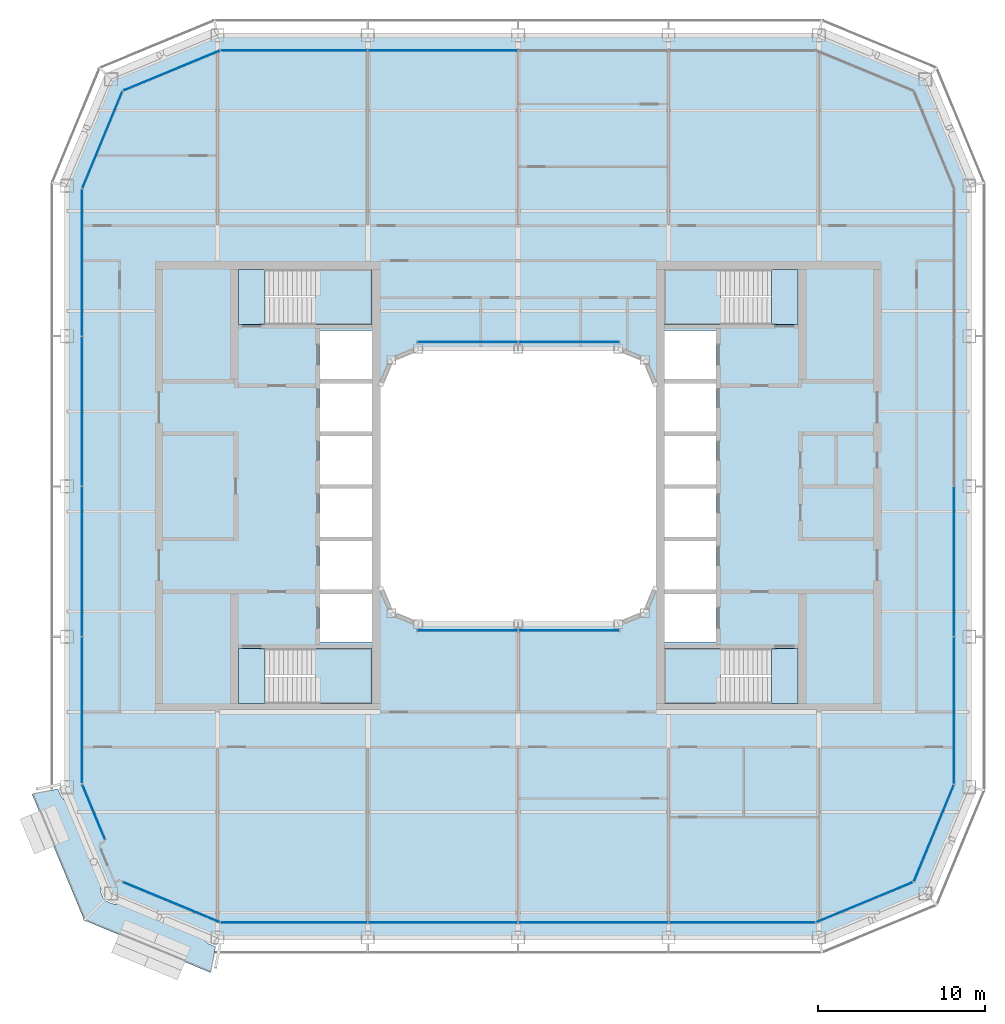
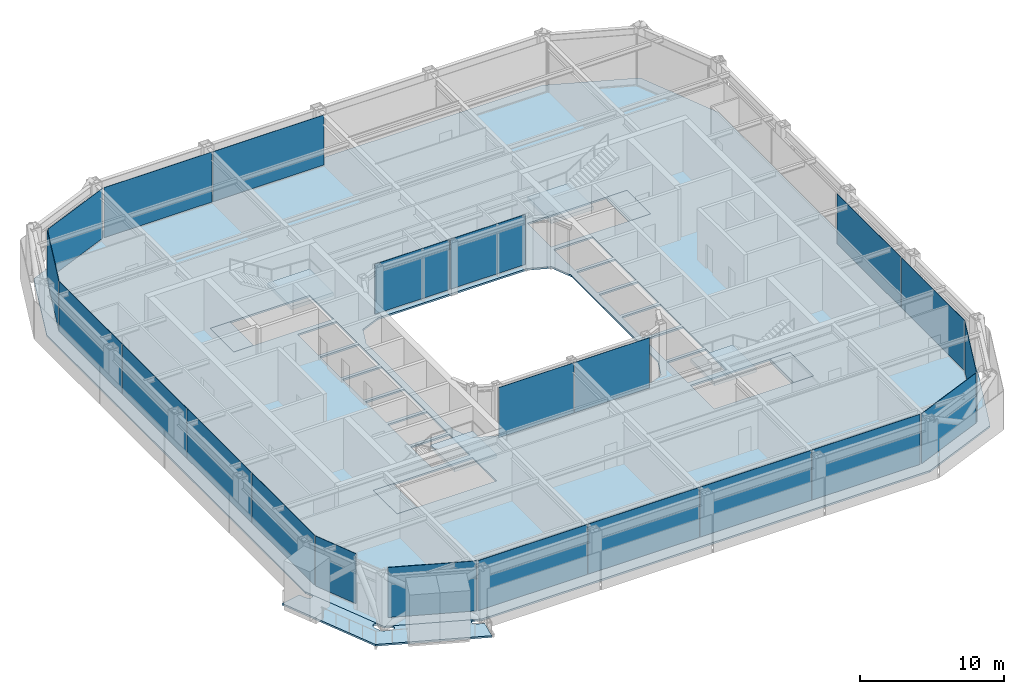
# One storey, part 11 of 23: 22 plates, 10 slabs, 16 elements without a shape of their own.
"""IFC4 building model written with IfcOpenShell, lengths in metres."""

import ifcopenshell
import ifcopenshell.guid

model = None  # the IFC model being written
_history = None  # IfcOwnerHistory: only IFC2X3 demands one
_inside = {}  # id of a spatial element -> (the spatial element, [elements in it])
_under = {}  # id of a project, library or spatial element -> (it, [spatial elements below it])
_declared = {}  # id of a project -> (the project, [libraries it declares])
_typed = {}  # id of a type object -> (the type object, [elements of that type])
_made_of = {}  # id of a material, layer set ... -> (it, [elements and type objects made of it])


def new_model(schema):
    """Start an empty IFC model of exactly this schema.

    Asked for "IFC4X3", IfcOpenShell would pick the latest addendum, in which some entities
    have other attributes; the version numbers below select the first issue.
    IFC2X3 requires an IfcOwnerHistory on every rooted entity: one is made here for all.
    """
    global model, _history
    if schema == "IFC4X3":
        model = ifcopenshell.file(schema_version=(4, 3, 0, 0))
    else:
        model = ifcopenshell.file(schema=schema)
    _inside.clear()
    _under.clear()
    _declared.clear()
    _typed.clear()
    _made_of.clear()
    _history = None
    if model.schema == "IFC2X3":
        org = make("IfcOrganization", Name="unknown")
        user = make(
            "IfcPersonAndOrganization",
            ThePerson=make("IfcPerson", FamilyName="unknown"),
            TheOrganization=org,
        )
        app = make(
            "IfcApplication",
            ApplicationDeveloper=org,
            Version="unknown",
            ApplicationFullName="unknown",
            ApplicationIdentifier="unknown",
        )
        _history = make(
            "IfcOwnerHistory",
            OwningUser=user,
            OwningApplication=app,
            ChangeAction="ADDED",
            CreationDate=0,
        )
    return model


def make(cls, **values):
    """One entity of the class cls with the attributes given. An attribute that is None is left unset."""
    return model.create_entity(
        cls, **{name: value for name, value in values.items() if value is not None}
    )


def rooted(cls, **values):
    """An entity with a GlobalId (a new one), such as an element, a storey or a relation."""
    return make(cls, GlobalId=ifcopenshell.guid.new(), OwnerHistory=_history, **values)


def si_unit(unit_type, name, prefix=None):
    """IfcSIUnit, for example si_unit("LENGTHUNIT", "METRE", prefix="MILLI")."""
    return make("IfcSIUnit", UnitType=unit_type, Prefix=prefix, Name=name)


def assignment(units):
    """IfcUnitAssignment: the units of a project."""
    return None if units is None else make("IfcUnitAssignment", Units=units)


def point(xyz):
    """IfcCartesianPoint."""
    return None if xyz is None else make("IfcCartesianPoint", Coordinates=xyz)


def direction(xyz):
    """IfcDirection."""
    return None if xyz is None else make("IfcDirection", DirectionRatios=xyz)


def frame(location, z_axis=None, x_axis=None):
    """IfcAxis2Placement3D, a coordinate frame: its origin and axes. An axis left out is left unset."""
    return make(
        "IfcAxis2Placement3D",
        Location=point(location),
        Axis=direction(z_axis),
        RefDirection=direction(x_axis),
    )


def frame_2d(location, x_axis=None):
    """IfcAxis2Placement2D, a coordinate frame in the plane: its origin and x axis."""
    return make(
        "IfcAxis2Placement2D", Location=point(location), RefDirection=direction(x_axis)
    )


def origin():
    """The frame at (0, 0, 0) with its axes left unset."""
    return frame((0.0, 0.0, 0.0))


def origin_2d():
    """The frame at (0, 0) in the plane with its x axis left unset."""
    return frame_2d((0.0, 0.0))


def place(relative_to, where):
    """IfcLocalPlacement: puts the frame where relative to a parent placement (None: the world)."""
    return make(
        "IfcLocalPlacement", PlacementRelTo=relative_to, RelativePlacement=where
    )


def context(
    kind, dimensions, precision=None, world=None, true_north=None, identifier=None
):
    """IfcGeometricRepresentationContext, for example the 3D "Model" context."""
    return make(
        "IfcGeometricRepresentationContext",
        ContextIdentifier=identifier,
        ContextType=kind,
        CoordinateSpaceDimension=dimensions,
        Precision=precision,
        WorldCoordinateSystem=world,
        TrueNorth=true_north,
    )


def subcontext(parent, identifier, kind, view, scale=None):
    """IfcGeometricRepresentationSubContext, for example "Body" below "Model"."""
    return make(
        "IfcGeometricRepresentationSubContext",
        ContextIdentifier=identifier,
        ContextType=kind,
        ParentContext=parent,
        TargetScale=scale,
        TargetView=view,
    )


def project(units=None, contexts=None):
    """IfcProject with its units and contexts."""
    return rooted(
        "IfcProject",
        Name="project",
        RepresentationContexts=contexts,
        UnitsInContext=assignment(units),
    )


def spatial(cls, under=None, at=None, **own):
    """A site, building, storey or space (cls), placed at a placement, below another one or the project."""
    s = rooted(cls, ObjectPlacement=at, **own)
    if under is not None:
        _under.setdefault(under.id(), (under, []))[1].append(s)
    return s


def polyline(points):
    """IfcPolyline through the points."""
    return make("IfcPolyline", Points=[point(p) for p in points])


def profile(cls, at=None, kind="AREA", **sizes):
    """A parametric profile (cls). Its sizes go by their IFC names, for example OverallWidth=200.0."""
    return make(cls, ProfileType=kind, Position=at, **sizes)


def rectangle(**sizes):
    """IfcRectangleProfileDef."""
    return profile("IfcRectangleProfileDef", **sizes)


def outline(outer, holes=None, kind="AREA"):
    """IfcArbitraryClosedProfileDef: a profile drawn as a closed curve; with holes, ...WithVoids."""
    if holes is None:
        return make("IfcArbitraryClosedProfileDef", ProfileType=kind, OuterCurve=outer)
    return make(
        "IfcArbitraryProfileDefWithVoids",
        ProfileType=kind,
        OuterCurve=outer,
        InnerCurves=holes,
    )


def extrude(swept, where, along, depth):
    """IfcExtrudedAreaSolid: the profile swept, set in the frame where, extruded along a direction by depth."""
    return make(
        "IfcExtrudedAreaSolid",
        SweptArea=swept,
        Position=where,
        ExtrudedDirection=direction(along),
        Depth=depth,
    )


def shape(context_of_items, identifier, shape_type, items):
    """IfcShapeRepresentation: the items that make up one representation, for example the "Body"."""
    return make(
        "IfcShapeRepresentation",
        ContextOfItems=context_of_items,
        RepresentationIdentifier=identifier,
        RepresentationType=shape_type,
        Items=items,
    )


def material(Name=None, Category=None):
    """IfcMaterial."""
    return make("IfcMaterial", Name=Name, Category=Category)


def layer(
    of_material, thickness, ventilated=None, Name=None, Category=None, Priority=None
):
    """IfcMaterialLayer: one layer of a wall or slab, of a material (None: an air gap)."""
    return make(
        "IfcMaterialLayer",
        Material=of_material,
        LayerThickness=thickness,
        IsVentilated=ventilated,
        Name=Name,
        Category=Category,
        Priority=Priority,
    )


def layer_set(layers, Name=None):
    """IfcMaterialLayerSet."""
    return make("IfcMaterialLayerSet", MaterialLayers=layers, LayerSetName=Name)


def made_of(thing, what):
    """Note that an element or type object is made of a material, layer set ...; save() writes the relation."""
    if what is not None:
        _made_of.setdefault(what.id(), (what, []))[1].append(thing)
    return thing


def type_object(cls, material=None, **own):
    """A type object (cls), such as IfcWallType, which elements share."""
    return made_of(rooted(cls, **own), material)


def element(
    cls,
    number,
    at=None,
    inside=None,
    cuts=None,
    type_object=None,
    material=None,
    context=None,
    identifier="Body",
    shape_type=None,
    held_by="IfcProductDefinitionShape",
    body=None,
    shapes=None,
    **own,
):
    """One element of the class cls, such as IfcWall. Its Tag is "e" and its number.

    at: its placement. inside: the storey or other place that contains it. cuts: it is an
    opening in that element (IfcRelVoidsElement). A single representation is given by context,
    identifier, shape_type and body (its items); several are given by shapes. held_by: the class
    of the entity that holds the representations. save() writes the other relations.
    """
    e = rooted(cls, Tag="e%d" % number, ObjectPlacement=at, **own)
    if body is not None:
        shapes = [shape(context, identifier, shape_type, body)]
    if shapes is not None:
        e.Representation = make(held_by, Representations=shapes)
    if inside is not None:
        _inside.setdefault(inside.id(), (inside, []))[1].append(e)
    if cuts is not None:
        rooted(
            "IfcRelVoidsElement", RelatingBuildingElement=cuts, RelatedOpeningElement=e
        )
    if type_object is not None:
        _typed.setdefault(type_object.id(), (type_object, []))[1].append(e)
    return made_of(e, material)


def aggregate(whole, parts):
    """IfcRelAggregates: a whole, such as a stair, and the parts it consists of."""
    return rooted("IfcRelAggregates", RelatingObject=whole, RelatedObjects=parts)


def save(model, path):
    """Write the relations noted so far, then the file.

    IfcRelAggregates (storeys below a building ...), IfcRelContainedInSpatialStructure (elements
    in a storey), IfcRelDefinesByType, IfcRelAssociatesMaterial and IfcRelDeclares: one each for
    every whole, place, type object, material and project.
    """
    for whole, parts in _under.values():
        aggregate(whole, parts)
    for where, things in _inside.values():
        rooted(
            "IfcRelContainedInSpatialStructure",
            RelatedElements=things,
            RelatingStructure=where,
        )
    for kind, things in _typed.values():
        rooted("IfcRelDefinesByType", RelatedObjects=things, RelatingType=kind)
    for what, things in _made_of.values():
        rooted("IfcRelAssociatesMaterial", RelatedObjects=things, RelatingMaterial=what)
    for by, libraries in _declared.values():
        rooted("IfcRelDeclares", RelatingContext=by, RelatedDefinitions=libraries)
    model.write(path)


model = new_model("IFC4")

# Units and contexts
model_context = context("Model", 3, precision=1e-05, world=origin(), true_north=direction((0.0, 1.0)))
body_context = subcontext(model_context, "Body", "Model", "MODEL_VIEW")
ifc_project = project(units=[si_unit("LENGTHUNIT", "METRE"), si_unit("AREAUNIT", "SQUARE_METRE"), si_unit("VOLUMEUNIT", "CUBIC_METRE"), si_unit("PLANEANGLEUNIT", "RADIAN"), si_unit("MASSUNIT", "GRAM", prefix="KILO")], contexts=[model_context])

# Site, building, storey
site_placement = place(None, origin())
site = spatial("IfcSite", under=ifc_project, at=site_placement, CompositionType="ELEMENT")
building_placement = place(site_placement, origin())
building = spatial("IfcBuilding", under=site, at=building_placement, Name="Siwar Civic Tower", CompositionType="ELEMENT")
storey_placement = place(building_placement, frame((0.0, 0.0, 269.199951171875)))
storey = spatial("IfcBuildingStorey", under=building, at=storey_placement, Name="L58", CompositionType="ELEMENT", Elevation=269.199951171875)

# Stair, slabs
ifc_material_1 = material(Name="Concrete C40/50", Category="concrete")
stair_type = type_object("IfcStairType", Name="CORE-STAIR", PredefinedType="TWO_STRAIGHT_RUN_STAIR", material=ifc_material_1)
stair_1_placement = place(storey_placement, origin())
stair_1 = element("IfcStair", 1, at=stair_1_placement, inside=storey, type_object=stair_type, Name="Exit stair ST1", PredefinedType="TWO_STRAIGHT_RUN_STAIR")
ifc_material_2 = material(Name="Concrete C40/50", Category="concrete")
ifc_layer_1 = layer(ifc_material_2, 0.300048828125)
ifc_layer_set_1 = layer_set([ifc_layer_1], Name="Concrete C40/50")
slab_type_1 = type_object("IfcSlabType", Name="CORE-STAIR-LANDING", PredefinedType="LANDING", material=ifc_layer_set_1)
slab_1_placement = place(storey_placement, frame((0.0, 0.0, -0.300048828125)))
slab_1 = element("IfcSlab", 2, at=slab_1_placement, type_object=slab_type_1, Name="ST1 landing 1", PredefinedType="LANDING", context=body_context, shape_type="SweptSolid", body=[
    extrude(outline(polyline([(-15.14990234375, 13.0), (-16.75, 13.0), (-16.75, 9.699951171875), (-15.14990234375, 9.699951171875), (-15.14990234375, 13.0)])), origin(), (0.0, 0.0, 1.0), 0.300048828125),
])
slab_2_placement = place(storey_placement, frame((0.0, 0.0, 1.949951171875)))
slab_2 = element("IfcSlab", 3, at=slab_2_placement, type_object=slab_type_1, Name="ST1 landing 2", PredefinedType="LANDING", context=body_context, shape_type="SweptSolid", body=[
    extrude(outline(polyline([(-8.75, 13.0), (-12.139892578125, 13.0), (-12.139892578125, 9.699951171875), (-8.75, 9.699951171875), (-8.75, 13.0)])), origin(), (0.0, 0.0, 1.0), 0.300048828125),
])
aggregate(stair_1, [slab_1, slab_2])

stair_2_placement = place(storey_placement, origin())
stair_2 = element("IfcStair", 4, at=stair_2_placement, inside=storey, type_object=stair_type, Name="Exit stair ST2", PredefinedType="TWO_STRAIGHT_RUN_STAIR")
slab_3_placement = place(storey_placement, frame((0.0, 0.0, -0.300048828125)))
slab_3 = element("IfcSlab", 5, at=slab_3_placement, type_object=slab_type_1, Name="ST2 landing 1", PredefinedType="LANDING", context=body_context, shape_type="SweptSolid", body=[
    extrude(outline(polyline([(-15.14990234375, -9.699951171875), (-16.75, -9.699951171875), (-16.75, -13.0), (-15.14990234375, -13.0), (-15.14990234375, -9.699951171875)])), origin(), (0.0, 0.0, 1.0), 0.300048828125),
])
slab_4_placement = place(storey_placement, frame((0.0, 0.0, 1.949951171875)))
slab_4 = element("IfcSlab", 6, at=slab_4_placement, type_object=slab_type_1, Name="ST2 landing 2", PredefinedType="LANDING", context=body_context, shape_type="SweptSolid", body=[
    extrude(outline(polyline([(-8.75, -9.699951171875), (-12.139892578125, -9.699951171875), (-12.139892578125, -13.0), (-8.75, -13.0), (-8.75, -9.699951171875)])), origin(), (0.0, 0.0, 1.0), 0.300048828125),
])
aggregate(stair_2, [slab_3, slab_4])

stair_3_placement = place(storey_placement, origin())
stair_3 = element("IfcStair", 7, at=stair_3_placement, inside=storey, type_object=stair_type, Name="Exit stair ST3", PredefinedType="TWO_STRAIGHT_RUN_STAIR")
slab_5_placement = place(storey_placement, frame((0.0, 0.0, -0.300048828125)))
slab_5 = element("IfcSlab", 8, at=slab_5_placement, type_object=slab_type_1, Name="ST3 landing 1", PredefinedType="LANDING", context=body_context, shape_type="SweptSolid", body=[
    extrude(outline(polyline([(15.14990234375, 9.699951171875), (16.75, 9.699951171875), (16.75, 13.0), (15.14990234375, 13.0), (15.14990234375, 9.699951171875)])), origin(), (0.0, 0.0, 1.0), 0.300048828125),
])
slab_6_placement = place(storey_placement, frame((0.0, 0.0, 1.949951171875)))
slab_6 = element("IfcSlab", 9, at=slab_6_placement, type_object=slab_type_1, Name="ST3 landing 2", PredefinedType="LANDING", context=body_context, shape_type="SweptSolid", body=[
    extrude(outline(polyline([(8.75, 9.699951171875), (12.139892578125, 9.699951171875), (12.139892578125, 13.0), (8.75, 13.0), (8.75, 9.699951171875)])), origin(), (0.0, 0.0, 1.0), 0.300048828125),
])
aggregate(stair_3, [slab_5, slab_6])

stair_4_placement = place(storey_placement, origin())
stair_4 = element("IfcStair", 10, at=stair_4_placement, inside=storey, type_object=stair_type, Name="Exit stair ST4", PredefinedType="TWO_STRAIGHT_RUN_STAIR")
slab_7_placement = place(storey_placement, frame((0.0, 0.0, -0.300048828125)))
slab_7 = element("IfcSlab", 11, at=slab_7_placement, type_object=slab_type_1, Name="ST4 landing 1", PredefinedType="LANDING", context=body_context, shape_type="SweptSolid", body=[
    extrude(outline(polyline([(15.14990234375, -13.0), (16.75, -13.0), (16.75, -9.699951171875), (15.14990234375, -9.699951171875), (15.14990234375, -13.0)])), origin(), (0.0, 0.0, 1.0), 0.300048828125),
])
slab_8_placement = place(storey_placement, frame((0.0, 0.0, 1.949951171875)))
slab_8 = element("IfcSlab", 12, at=slab_8_placement, type_object=slab_type_1, Name="ST4 landing 2", PredefinedType="LANDING", context=body_context, shape_type="SweptSolid", body=[
    extrude(outline(polyline([(8.75, -13.0), (12.139892578125, -13.0), (12.139892578125, -9.699951171875), (8.75, -9.699951171875), (8.75, -13.0)])), origin(), (0.0, 0.0, 1.0), 0.300048828125),
])
aggregate(stair_4, [slab_7, slab_8])

# Slab
ifc_material_3 = material(Name="Concrete C40/50", Category="concrete")
ifc_layer_2 = layer(ifc_material_3, 0.14990234375)
ifc_layer_set_2 = layer_set([ifc_layer_2], Name="Concrete C40/50")
slab_type_2 = type_object("IfcSlabType", Name="ENV-BALCONY DECK 150", PredefinedType="FLOOR", material=ifc_layer_set_2)
slab_9_placement = place(storey_placement, frame((0.0, 0.0, -0.1494140625)))
element("IfcSlab", 13, at=slab_9_placement, inside=storey, type_object=slab_type_2, Name="Tree balcony deck SW", PredefinedType="FLOOR", context=body_context, shape_type="SweptSolid", body=[
    extrude(outline(polyline([(-24.712158203125, -24.78076171875), (-24.718505859375, -24.77783203125), (-24.724853515625, -24.774169921875), (-24.730712890625, -24.77001953125), (-24.73828125, -24.763916015625), (-24.763916015625, -24.763916015625), (-24.763916015625, -24.741455078125), (-24.778564453125, -24.72607421875), (-24.785400390625, -24.7177734375), (-24.801025390625, -24.695556640625), (-24.806640625, -24.686279296875), (-24.818603515625, -24.662353515625), (-24.82080078125, -24.657470703125), (-24.82080078125, -24.657470703125), (-24.82080078125, -24.657470703125), (-24.82080078125, -24.657470703125), (-24.82080078125, -24.657470703125), (-24.82421875, -24.649658203125), (-24.924560546875, -24.40869140625), (-24.94384765625, -24.362060546875), (-24.94482421875, -24.35986328125), (-24.96533203125, -24.305419921875), (-24.967041015625, -24.300537109375), (-24.98388671875, -24.244873046875), (-24.985595703125, -24.238037109375), (-24.99560546875, -24.189208984375), (-24.99658203125, -24.183837890625), (-25.002685546875, -24.13427734375), (-25.003173828125, -24.12890625), (-25.006103515625, -24.0791015625), (-25.006103515625, -24.073974609375), (-25.005615234375, -24.024169921875), (-25.00537109375, -24.0185546875), (-25.004638671875, -24.0126953125), (-24.99755859375, -23.970947265625), (-24.995849609375, -23.96337890625), (-24.993408203125, -23.9560546875), (-24.98046875, -23.922607421875), (-24.978271484375, -23.91748046875), (-24.962646484375, -23.88525390625), (-24.96044921875, -23.880615234375), (-24.942626953125, -23.849365234375), (-24.93896484375, -23.84326171875), (-24.9345703125, -23.837646484375), (-24.9296875, -23.83251953125), (-24.906982421875, -23.810546875), (-24.900634765625, -23.804931640625), (-24.8935546875, -23.80029296875), (-24.885986328125, -23.796142578125), (-24.85888671875, -23.78369140625), (-24.85400390625, -23.78173828125), (-24.826171875, -23.771240234375), (-24.818115234375, -23.768798828125), (-24.8095703125, -23.76708984375), (-24.80126953125, -23.7666015625), (-24.769775390625, -23.765869140625), (-24.762451171875, -23.76611328125), (-24.75537109375, -23.766845703125), (-24.74853515625, -23.7685546875), (-24.7138671875, -23.77783203125), (-24.708984375, -23.779541015625), (-24.675048828125, -23.791259765625), (-24.669921875, -23.793212890625), (-24.636962890625, -23.8076171875), (-24.630126953125, -23.81103515625), (-24.62353515625, -23.815185546875), (-24.5888671875, -23.839599609375), (-24.58447265625, -23.84326171875), (-24.580078125, -23.846923828125), (-24.57666015625, -23.85009765625), (-26.77978515625, -18.531494140625), (-26.7802734375, -18.5654296875), (-26.780517578125, -18.5712890625), (-26.78125, -18.576904296875), (-26.788330078125, -18.61865234375), (-26.789794921875, -18.626220703125), (-26.792236328125, -18.633544921875), (-26.805419921875, -18.6669921875), (-26.8076171875, -18.672119140625), (-26.822998046875, -18.70458984375), (-26.825439453125, -18.709228515625), (-26.84326171875, -18.740234375), (-26.846923828125, -18.746337890625), (-26.851318359375, -18.751953125), (-26.856201171875, -18.75732421875), (-26.87890625, -18.779052734375), (-26.88525390625, -18.78466796875), (-26.892333984375, -18.78955078125), (-26.899658203125, -18.79345703125), (-26.927001953125, -18.805908203125), (-26.931884765625, -18.80810546875), (-26.959716796875, -18.818603515625), (-26.9677734375, -18.821044921875), (-26.97607421875, -18.82275390625), (-26.984619140625, -18.8232421875), (-27.01611328125, -18.823974609375), (-27.023193359375, -18.82373046875), (-27.0302734375, -18.82275390625), (-27.037353515625, -18.8212890625), (-27.072021484375, -18.811767578125), (-27.076904296875, -18.810302734375), (-27.11083984375, -18.79833984375), (-27.115966796875, -18.79638671875), (-27.14892578125, -18.7822265625), (-27.15576171875, -18.77880859375), (-27.162353515625, -18.774658203125), (-27.197021484375, -18.75), (-27.201416015625, -18.74658203125), (-27.205810546875, -18.74267578125), (-27.241455078125, -18.7080078125), (-27.2451171875, -18.704345703125), (-27.278564453125, -18.667236328125), (-27.281982421875, -18.663330078125), (-27.312744140625, -18.623779296875), (-27.31591796875, -18.619384765625), (-27.343505859375, -18.577880859375), (-27.34716796875, -18.57177734375), (-27.374755859375, -18.520751953125), (-27.377197265625, -18.51611328125), (-27.4013671875, -18.463134765625), (-27.40234375, -18.4609375), (-27.405517578125, -18.453125), (-27.425048828125, -18.406494140625), (-27.522216796875, -18.17333984375), (-27.525390625, -18.16552734375), (-27.525390625, -18.16552734375), (-27.52783203125, -18.15869140625), (-27.533935546875, -18.13916015625), (-27.53564453125, -18.13232421875), (-27.53662109375, -18.12548828125), (-27.538818359375, -18.107177734375), (-29.10009765625, -18.417724609375), (-25.97119140625, -25.97119140625), (-18.417724609375, -29.10009765625), (-18.106689453125, -27.5361328125), (-18.107421875, -27.5361328125), (-18.1240234375, -27.535400390625), (-18.1328125, -27.53466796875), (-18.141357421875, -27.53271484375), (-18.156982421875, -27.5283203125), (-18.16552734375, -27.525390625), (-18.170166015625, -27.5234375), (-18.17333984375, -27.522216796875), (-18.18896484375, -27.515625), (-18.227783203125, -27.49951171875), (-18.240234375, -27.494140625), (-18.406494140625, -27.425048828125), (-18.453125, -27.405517578125), (-18.4609375, -27.40234375), (-18.463134765625, -27.4013671875), (-18.51611328125, -27.377197265625), (-18.520751953125, -27.374755859375), (-18.57177734375, -27.34716796875), (-18.577880859375, -27.343505859375), (-18.619384765625, -27.31591796875), (-18.623779296875, -27.312744140625), (-18.663330078125, -27.281982421875), (-18.667236328125, -27.278564453125), (-18.704345703125, -27.2451171875), (-18.7080078125, -27.241455078125), (-18.74267578125, -27.205810546875), (-18.74658203125, -27.201416015625), (-18.75, -27.197021484375), (-18.774658203125, -27.162353515625), (-18.77880859375, -27.15576171875), (-18.7822265625, -27.14892578125), (-18.79638671875, -27.115966796875), (-18.79833984375, -27.11083984375), (-18.810302734375, -27.076904296875), (-18.811767578125, -27.072021484375), (-18.8212890625, -27.037353515625), (-18.82275390625, -27.0302734375), (-18.82373046875, -27.023193359375), (-18.823974609375, -27.01611328125), (-18.8232421875, -26.984619140625), (-18.82275390625, -26.97607421875), (-18.821044921875, -26.9677734375), (-18.818603515625, -26.959716796875), (-18.80810546875, -26.931884765625), (-18.805908203125, -26.927001953125), (-18.79345703125, -26.899658203125), (-18.78955078125, -26.892333984375), (-18.78466796875, -26.88525390625), (-18.779052734375, -26.87890625), (-18.75732421875, -26.856201171875), (-18.751953125, -26.851318359375), (-18.746337890625, -26.846923828125), (-18.740234375, -26.84326171875), (-18.709228515625, -26.825439453125), (-18.70458984375, -26.822998046875), (-18.672119140625, -26.8076171875), (-18.6669921875, -26.805419921875), (-18.633544921875, -26.792236328125), (-18.626220703125, -26.789794921875), (-18.61865234375, -26.788330078125), (-18.576904296875, -26.78125), (-18.5712890625, -26.780517578125), (-18.5654296875, -26.7802734375), (-18.531494140625, -26.77978515625), (-23.85009765625, -24.57666015625), (-23.846923828125, -24.580078125), (-23.84326171875, -24.58447265625), (-23.839599609375, -24.5888671875), (-23.815185546875, -24.62353515625), (-23.81103515625, -24.630126953125), (-23.8076171875, -24.636962890625), (-23.793212890625, -24.669921875), (-23.791259765625, -24.675048828125), (-23.779541015625, -24.708984375), (-23.77783203125, -24.7138671875), (-23.7685546875, -24.74853515625), (-23.766845703125, -24.75537109375), (-23.76611328125, -24.762451171875), (-23.765869140625, -24.769775390625), (-23.7666015625, -24.80126953125), (-23.76708984375, -24.8095703125), (-23.768798828125, -24.818115234375), (-23.771240234375, -24.826171875), (-23.78173828125, -24.85400390625), (-23.78369140625, -24.85888671875), (-23.796142578125, -24.885986328125), (-23.80029296875, -24.8935546875), (-23.804931640625, -24.900634765625), (-23.810546875, -24.906982421875), (-23.83251953125, -24.9296875), (-23.837646484375, -24.9345703125), (-23.84326171875, -24.93896484375), (-23.849365234375, -24.942626953125), (-23.880615234375, -24.96044921875), (-23.88525390625, -24.962646484375), (-23.91748046875, -24.978271484375), (-23.922607421875, -24.98046875), (-23.9560546875, -24.993408203125), (-23.96337890625, -24.995849609375), (-23.970947265625, -24.99755859375), (-24.0126953125, -25.004638671875), (-24.0185546875, -25.00537109375), (-24.024169921875, -25.005615234375), (-24.073974609375, -25.006103515625), (-24.0791015625, -25.006103515625), (-24.12890625, -25.003173828125), (-24.13427734375, -25.002685546875), (-24.183837890625, -24.99658203125), (-24.189208984375, -24.99560546875), (-24.238037109375, -24.985595703125), (-24.244873046875, -24.98388671875), (-24.300537109375, -24.967041015625), (-24.305419921875, -24.96533203125), (-24.35986328125, -24.94482421875), (-24.362060546875, -24.94384765625), (-24.40869140625, -24.924560546875), (-24.649658203125, -24.82421875), (-24.657470703125, -24.82080078125), (-24.66552734375, -24.81689453125), (-24.6796875, -24.808837890625), (-24.68701171875, -24.80419921875), (-24.693603515625, -24.798583984375), (-24.7060546875, -24.787109375), (-24.71142578125, -24.78173828125), (-24.71142578125, -24.78173828125), (-24.71142578125, -24.781494140625), (-24.712158203125, -24.78076171875)])), origin(), (0.0, 0.0, 1.0), 0.1494140625),
])

# Curtain wall, plates
ifc_material_4 = material(Name="Aluminium and glass", Category="aluminium")
ifc_layer_3 = layer(ifc_material_4, 0.179931640625)
ifc_layer_set_3 = layer_set([ifc_layer_3], Name="Aluminium and glass")
curtain_wall_type_1 = type_object("IfcCurtainWallType", Name="ENV-CW-C", PredefinedType="NOTDEFINED", material=ifc_layer_set_3)
curtain_wall_1_placement = place(storey_placement, origin())
curtain_wall_1 = element("IfcCurtainWall", 14, at=curtain_wall_1_placement, inside=storey, type_object=curtain_wall_type_1, Name="Curtain wall C S", PredefinedType="NOTDEFINED")
ifc_material_5 = material(Name="Glass clear laminated", Category="glass")
ifc_layer_4 = layer(ifc_material_5, 0.031982421875)
ifc_layer_set_4 = layer_set([ifc_layer_4], Name="Glass clear laminated")
plate_type_1 = type_object("IfcPlateType", Name="ENV-PANEL-C", PredefinedType="CURTAIN_PANEL", material=ifc_layer_set_4)
plate_1_placement = place(storey_placement, frame((-13.410400390625, -26.10009765625, 0.10009765625), z_axis=(0.0, 0.0, 1.0), x_axis=(1.0, 0.0, 0.0)))
plate_1 = element("IfcPlate", 15, at=plate_1_placement, type_object=plate_type_1, Name="Curtain panel C S 1", PredefinedType="CURTAIN_PANEL", context=body_context, shape_type="SweptSolid", body=[
    extrude(rectangle(XDim=8.760986328125, YDim=0.031982421875, at=origin_2d()), origin(), (0.0, 0.0, 1.0), 4.25),
])
plate_2_placement = place(storey_placement, frame((-4.5, -26.10009765625, 0.10009765625), z_axis=(0.0, 0.0, 1.0), x_axis=(1.0, 0.0, 0.0)))
plate_2 = element("IfcPlate", 16, at=plate_2_placement, type_object=plate_type_1, Name="Curtain panel C S 2", PredefinedType="CURTAIN_PANEL", context=body_context, shape_type="SweptSolid", body=[
    extrude(rectangle(XDim=8.93994140625, YDim=0.031982421875, at=origin_2d()), origin(), (0.0, 0.0, 1.0), 4.25),
])
plate_3_placement = place(storey_placement, frame((4.5, -26.10009765625, 0.10009765625), z_axis=(0.0, 0.0, 1.0), x_axis=(1.0, 0.0, 0.0)))
plate_3 = element("IfcPlate", 17, at=plate_3_placement, type_object=plate_type_1, Name="Curtain panel C S 3", PredefinedType="CURTAIN_PANEL", context=body_context, shape_type="SweptSolid", body=[
    extrude(rectangle(XDim=8.93994140625, YDim=0.031982421875, at=origin_2d()), origin(), (0.0, 0.0, 1.0), 4.25),
])
plate_4_placement = place(storey_placement, frame((13.373046875, -26.10009765625, 0.10009765625), z_axis=(0.0, 0.0, 1.0), x_axis=(1.0, 0.0, 0.0)))
plate_4 = element("IfcPlate", 18, at=plate_4_placement, type_object=plate_type_1, Name="Curtain panel C S 4", PredefinedType="CURTAIN_PANEL", context=body_context, shape_type="SweptSolid", body=[
    extrude(rectangle(XDim=8.68603515625, YDim=0.031982421875, at=origin_2d()), origin(), (0.0, 0.0, 1.0), 4.25),
])
aggregate(curtain_wall_1, [plate_1, plate_2, plate_3, plate_4])

curtain_wall_2_placement = place(storey_placement, origin())
curtain_wall_2 = element("IfcCurtainWall", 19, at=curtain_wall_2_placement, inside=storey, type_object=curtain_wall_type_1, Name="Curtain wall C E", PredefinedType="NOTDEFINED")
plate_5_placement = place(storey_placement, frame((26.10009765625, -13.410400390625, 0.10009765625), z_axis=(0.0, 0.0, 1.0), x_axis=(0.0, 1.0, 0.0)))
plate_5 = element("IfcPlate", 20, at=plate_5_placement, type_object=plate_type_1, Name="Curtain panel C E 1", PredefinedType="CURTAIN_PANEL", context=body_context, shape_type="SweptSolid", body=[
    extrude(rectangle(XDim=8.760986328125, YDim=0.031982421875, at=origin_2d()), origin(), (0.0, 0.0, 1.0), 4.25),
])
plate_6_placement = place(storey_placement, frame((26.10009765625, -4.5, 0.10009765625), z_axis=(0.0, 0.0, 1.0), x_axis=(0.0, 1.0, 0.0)))
plate_6 = element("IfcPlate", 21, at=plate_6_placement, type_object=plate_type_1, Name="Curtain panel C E 2", PredefinedType="CURTAIN_PANEL", context=body_context, shape_type="SweptSolid", body=[
    extrude(rectangle(XDim=8.93994140625, YDim=0.031982421875, at=origin_2d()), origin(), (0.0, 0.0, 1.0), 4.25),
])
aggregate(curtain_wall_2, [plate_5, plate_6])

curtain_wall_3_placement = place(storey_placement, origin())
curtain_wall_3 = element("IfcCurtainWall", 22, at=curtain_wall_3_placement, inside=storey, type_object=curtain_wall_type_1, Name="Curtain wall C N", PredefinedType="NOTDEFINED")
plate_7_placement = place(storey_placement, frame((-4.5, 26.10009765625, 0.10009765625), z_axis=(0.0, 0.0, 1.0), x_axis=(-1.0, 0.0, 0.0)))
plate_7 = element("IfcPlate", 23, at=plate_7_placement, type_object=plate_type_1, Name="Curtain panel C N 3", PredefinedType="CURTAIN_PANEL", context=body_context, shape_type="SweptSolid", body=[
    extrude(rectangle(XDim=8.93994140625, YDim=0.031982421875, at=origin_2d()), origin(), (0.0, 0.0, 1.0), 4.25),
])
plate_8_placement = place(storey_placement, frame((-13.373046875, 26.10009765625, 0.10009765625), z_axis=(0.0, 0.0, 1.0), x_axis=(-1.0, 0.0, 0.0)))
plate_8 = element("IfcPlate", 24, at=plate_8_placement, type_object=plate_type_1, Name="Curtain panel C N 4", PredefinedType="CURTAIN_PANEL", context=body_context, shape_type="SweptSolid", body=[
    extrude(rectangle(XDim=8.68603515625, YDim=0.031982421875, at=origin_2d()), origin(), (0.0, 0.0, 1.0), 4.25),
])
aggregate(curtain_wall_3, [plate_7, plate_8])

curtain_wall_4_placement = place(storey_placement, origin())
curtain_wall_4 = element("IfcCurtainWall", 25, at=curtain_wall_4_placement, inside=storey, type_object=curtain_wall_type_1, Name="Curtain wall C W", PredefinedType="NOTDEFINED")
plate_9_placement = place(storey_placement, frame((-26.10009765625, 13.410400390625, 0.10009765625), z_axis=(0.0, 0.0, 1.0), x_axis=(0.0, -1.0, 0.0)))
plate_9 = element("IfcPlate", 26, at=plate_9_placement, type_object=plate_type_1, Name="Curtain panel C W 1", PredefinedType="CURTAIN_PANEL", context=body_context, shape_type="SweptSolid", body=[
    extrude(rectangle(XDim=8.760986328125, YDim=0.031982421875, at=origin_2d()), origin(), (0.0, 0.0, 1.0), 4.25),
])
plate_10_placement = place(storey_placement, frame((-26.10009765625, 4.5, 0.10009765625), z_axis=(0.0, 0.0, 1.0), x_axis=(0.0, -1.0, 0.0)))
plate_10 = element("IfcPlate", 27, at=plate_10_placement, type_object=plate_type_1, Name="Curtain panel C W 2", PredefinedType="CURTAIN_PANEL", context=body_context, shape_type="SweptSolid", body=[
    extrude(rectangle(XDim=8.93994140625, YDim=0.031982421875, at=origin_2d()), origin(), (0.0, 0.0, 1.0), 4.25),
])
plate_11_placement = place(storey_placement, frame((-26.10009765625, -4.5, 0.10009765625), z_axis=(0.0, 0.0, 1.0), x_axis=(0.0, -1.0, 0.0)))
plate_11 = element("IfcPlate", 28, at=plate_11_placement, type_object=plate_type_1, Name="Curtain panel C W 3", PredefinedType="CURTAIN_PANEL", context=body_context, shape_type="SweptSolid", body=[
    extrude(rectangle(XDim=8.93994140625, YDim=0.031982421875, at=origin_2d()), origin(), (0.0, 0.0, 1.0), 4.25),
])
plate_12_placement = place(storey_placement, frame((-26.10009765625, -13.373046875, 0.10009765625), z_axis=(0.0, 0.0, 1.0), x_axis=(0.0, -1.0, 0.0)))
plate_12 = element("IfcPlate", 29, at=plate_12_placement, type_object=plate_type_1, Name="Curtain panel C W 4", PredefinedType="CURTAIN_PANEL", context=body_context, shape_type="SweptSolid", body=[
    extrude(rectangle(XDim=8.68603515625, YDim=0.031982421875, at=origin_2d()), origin(), (0.0, 0.0, 1.0), 4.25),
])
aggregate(curtain_wall_4, [plate_9, plate_10, plate_11, plate_12])

# Curtain wall, plate
ifc_material_6 = material(Name="Aluminium clad insulated panel", Category="aluminium")
ifc_layer_5 = layer(ifc_material_6, 0.179931640625)
ifc_layer_set_5 = layer_set([ifc_layer_5], Name="Aluminium clad insulated panel")
curtain_wall_type_2 = type_object("IfcCurtainWallType", Name="ENV-CW-CX", PredefinedType="NOTDEFINED", material=ifc_layer_set_5)
curtain_wall_5_placement = place(storey_placement, origin())
curtain_wall_5 = element("IfcCurtainWall", 30, at=curtain_wall_5_placement, inside=storey, type_object=curtain_wall_type_2, Name="Curtain wall C SE1", PredefinedType="NOTDEFINED")
ifc_material_7 = material(Name="Aluminium clad insulated panel", Category="aluminium")
ifc_layer_6 = layer(ifc_material_7, 0.031982421875)
ifc_layer_set_6 = layer_set([ifc_layer_6], Name="Aluminium clad insulated panel")
plate_type_2 = type_object("IfcPlateType", Name="ENV-PANEL-CX", PredefinedType="CURTAIN_PANEL", material=ifc_layer_set_6)
plate_13_placement = place(storey_placement, frame((20.71337890625, -24.90185546875, 0.10009765625), z_axis=(0.0, 0.0, 1.0), x_axis=(0.923879532511, 0.382683432365, 0.0)))
plate_13 = element("IfcPlate", 31, at=plate_13_placement, type_object=plate_type_2, Name="Curtain panel C SE1 1", PredefinedType="CURTAIN_PANEL", context=body_context, shape_type="SweptSolid", body=[
    extrude(rectangle(XDim=6.20166015625, YDim=0.031982421875, at=origin_2d()), origin(), (0.0, 0.0, 1.0), 4.25),
])
aggregate(curtain_wall_5, [plate_13])

curtain_wall_6_placement = place(storey_placement, origin())
curtain_wall_6 = element("IfcCurtainWall", 32, at=curtain_wall_6_placement, inside=storey, type_object=curtain_wall_type_2, Name="Curtain wall C SE2", PredefinedType="NOTDEFINED")
plate_14_placement = place(storey_placement, frame((24.873291015625, -20.78271484375, 0.10009765625), z_axis=(0.0, 0.0, 1.0), x_axis=(0.382683432365, 0.923879532511, 0.0)))
plate_14 = element("IfcPlate", 33, at=plate_14_placement, type_object=plate_type_2, Name="Curtain panel C SE2 1", PredefinedType="CURTAIN_PANEL", context=body_context, shape_type="SweptSolid", body=[
    extrude(rectangle(XDim=6.20166015625, YDim=0.031982421875, at=origin_2d()), origin(), (0.0, 0.0, 1.0), 4.25),
])
aggregate(curtain_wall_6, [plate_14])

curtain_wall_7_placement = place(storey_placement, origin())
curtain_wall_7 = element("IfcCurtainWall", 34, at=curtain_wall_7_placement, inside=storey, type_object=curtain_wall_type_2, Name="Curtain wall C NW1", PredefinedType="NOTDEFINED")
plate_15_placement = place(storey_placement, frame((-20.71337890625, 24.90185546875, 0.10009765625), z_axis=(0.0, 0.0, 1.0), x_axis=(-0.923879532511, -0.382683432365, 0.0)))
plate_15 = element("IfcPlate", 35, at=plate_15_placement, type_object=plate_type_2, Name="Curtain panel C NW1 1", PredefinedType="CURTAIN_PANEL", context=body_context, shape_type="SweptSolid", body=[
    extrude(rectangle(XDim=6.20166015625, YDim=0.031982421875, at=origin_2d()), origin(), (0.0, 0.0, 1.0), 4.25),
])
aggregate(curtain_wall_7, [plate_15])

curtain_wall_8_placement = place(storey_placement, origin())
curtain_wall_8 = element("IfcCurtainWall", 36, at=curtain_wall_8_placement, inside=storey, type_object=curtain_wall_type_2, Name="Curtain wall C NW2", PredefinedType="NOTDEFINED")
plate_16_placement = place(storey_placement, frame((-24.873291015625, 20.78271484375, 0.10009765625), z_axis=(0.0, 0.0, 1.0), x_axis=(-0.382683432365, -0.923879532511, 0.0)))
plate_16 = element("IfcPlate", 37, at=plate_16_placement, type_object=plate_type_2, Name="Curtain panel C NW2 1", PredefinedType="CURTAIN_PANEL", context=body_context, shape_type="SweptSolid", body=[
    extrude(rectangle(XDim=6.20166015625, YDim=0.031982421875, at=origin_2d()), origin(), (0.0, 0.0, 1.0), 4.25),
])
aggregate(curtain_wall_8, [plate_16])

curtain_wall_9_placement = place(storey_placement, origin())
curtain_wall_9 = element("IfcCurtainWall", 38, at=curtain_wall_9_placement, inside=storey, type_object=curtain_wall_type_2, Name="Curtain wall C SW1", PredefinedType="NOTDEFINED")
plate_17_placement = place(storey_placement, frame((-25.40966796875, -19.4873046875, 0.10009765625), z_axis=(0.0, 0.0, 1.0), x_axis=(0.382683432365, -0.923879532511, 0.0)))
plate_17 = element("IfcPlate", 39, at=plate_17_placement, type_object=plate_type_2, Name="Curtain panel C SW1 1", PredefinedType="CURTAIN_PANEL", context=body_context, shape_type="SweptSolid", body=[
    extrude(rectangle(XDim=3.54736328125, YDim=0.031982421875, at=origin_2d()), origin(), (0.0, 0.0, 1.0), 4.25),
])
aggregate(curtain_wall_9, [plate_17])

curtain_wall_10_placement = place(storey_placement, origin())
curtain_wall_10 = element("IfcCurtainWall", 40, at=curtain_wall_10_placement, inside=storey, type_object=curtain_wall_type_2, Name="Curtain wall C SW2", PredefinedType="NOTDEFINED")
plate_18_placement = place(storey_placement, frame((-20.78271484375, -24.873291015625, 0.10009765625), z_axis=(0.0, 0.0, 1.0), x_axis=(0.923879532511, -0.382683432365, 0.0)))
plate_18 = element("IfcPlate", 41, at=plate_18_placement, type_object=plate_type_2, Name="Curtain panel C SW2 1", PredefinedType="CURTAIN_PANEL", context=body_context, shape_type="SweptSolid", body=[
    extrude(rectangle(XDim=6.20166015625, YDim=0.031982421875, at=origin_2d()), origin(), (0.0, 0.0, 1.0), 4.25),
])
aggregate(curtain_wall_10, [plate_18])

# Curtain wall, plates
ifc_material_8 = material(Name="Aluminium and glass", Category="aluminium")
ifc_layer_7 = layer(ifc_material_8, 0.179931640625)
ifc_layer_set_7 = layer_set([ifc_layer_7], Name="Aluminium and glass")
curtain_wall_type_3 = type_object("IfcCurtainWallType", Name="ENV-CW-W", PredefinedType="NOTDEFINED", material=ifc_layer_set_7)
curtain_wall_11_placement = place(storey_placement, origin())
curtain_wall_11 = element("IfcCurtainWall", 42, at=curtain_wall_11_placement, inside=storey, type_object=curtain_wall_type_3, Name="Curtain wall W WS", PredefinedType="NOTDEFINED")
ifc_material_9 = material(Name="Glass clear laminated", Category="glass")
ifc_layer_8 = layer(ifc_material_9, 0.031982421875)
ifc_layer_set_8 = layer_set([ifc_layer_8], Name="Glass clear laminated")
plate_type_3 = type_object("IfcPlateType", Name="ENV-PANEL-W", PredefinedType="CURTAIN_PANEL", material=ifc_layer_set_8)
plate_19_placement = place(storey_placement, frame((-3.038330078125, -8.635009765625, 0.10009765625), z_axis=(0.0, 0.0, 1.0), x_axis=(1.0, 0.0, 0.0)))
plate_19 = element("IfcPlate", 43, at=plate_19_placement, type_object=plate_type_3, Name="Curtain panel W WS 1", PredefinedType="CURTAIN_PANEL", context=body_context, shape_type="SweptSolid", body=[
    extrude(rectangle(XDim=6.0166015625, YDim=0.031982421875, at=origin_2d()), origin(), (0.0, 0.0, 1.0), 4.25),
])
plate_20_placement = place(storey_placement, frame((3.038330078125, -8.635009765625, 0.10009765625), z_axis=(0.0, 0.0, 1.0), x_axis=(1.0, 0.0, 0.0)))
plate_20 = element("IfcPlate", 44, at=plate_20_placement, type_object=plate_type_3, Name="Curtain panel W WS 2", PredefinedType="CURTAIN_PANEL", context=body_context, shape_type="SweptSolid", body=[
    extrude(rectangle(XDim=6.0166015625, YDim=0.031982421875, at=origin_2d()), origin(), (0.0, 0.0, 1.0), 4.25),
])
aggregate(curtain_wall_11, [plate_19, plate_20])

curtain_wall_12_placement = place(storey_placement, origin())
curtain_wall_12 = element("IfcCurtainWall", 45, at=curtain_wall_12_placement, inside=storey, type_object=curtain_wall_type_3, Name="Curtain wall W WN", PredefinedType="NOTDEFINED")
plate_21_placement = place(storey_placement, frame((3.038330078125, 8.635009765625, 0.10009765625), z_axis=(0.0, 0.0, 1.0), x_axis=(-1.0, 0.0, 0.0)))
plate_21 = element("IfcPlate", 46, at=plate_21_placement, type_object=plate_type_3, Name="Curtain panel W WN 1", PredefinedType="CURTAIN_PANEL", context=body_context, shape_type="SweptSolid", body=[
    extrude(rectangle(XDim=6.0166015625, YDim=0.031982421875, at=origin_2d()), origin(), (0.0, 0.0, 1.0), 4.25),
])
plate_22_placement = place(storey_placement, frame((-3.038330078125, 8.635009765625, 0.10009765625), z_axis=(0.0, 0.0, 1.0), x_axis=(-1.0, 0.0, 0.0)))
plate_22 = element("IfcPlate", 47, at=plate_22_placement, type_object=plate_type_3, Name="Curtain panel W WN 2", PredefinedType="CURTAIN_PANEL", context=body_context, shape_type="SweptSolid", body=[
    extrude(rectangle(XDim=6.0166015625, YDim=0.031982421875, at=origin_2d()), origin(), (0.0, 0.0, 1.0), 4.25),
])
aggregate(curtain_wall_12, [plate_21, plate_22])

# Slab
ifc_material_10 = material(Name="Concrete C40/50", Category="concrete")
ifc_layer_9 = layer(ifc_material_10, 0.14990234375)
ifc_layer_set_9 = layer_set([ifc_layer_9], Name="Concrete C40/50")
slab_type_3 = type_object("IfcSlabType", Name="STR-FLOOR-DECK-150", PredefinedType="FLOOR", material=ifc_layer_set_9)
slab_10_placement = place(storey_placement, frame((0.0, 0.0, -0.14990234375)))
element("IfcSlab", 48, at=slab_10_placement, inside=storey, type_object=slab_type_3, Name="L58/slab/1", PredefinedType="FLOOR", context=body_context, shape_type="SweptSolid", body=[
    extrude(outline(polyline([(-18.0, -27.0), (18.0, -27.0), (24.364013671875, -24.364013671875), (27.0, -18.0), (27.0, 18.0), (24.364013671875, 24.364013671875), (18.0, 27.0), (-18.0, 27.0), (-24.364013671875, 24.364013671875), (-27.0, 18.0), (-27.0, -18.0), (-24.364013671875, -24.364013671875), (-18.0, -27.0)]), holes=[polyline([(16.75, 13.0), (16.75, 9.699951171875), (8.75, 9.699951171875), (8.75, 13.0), (16.75, 13.0)]), polyline([(8.75, -9.699951171875), (16.75, -9.699951171875), (16.75, -13.0), (8.75, -13.0), (8.75, -9.699951171875)]), polyline([(11.85009765625, 9.324951171875), (11.85009765625, 6.425048828125), (8.75, 6.425048828125), (8.75, 9.324951171875), (11.85009765625, 9.324951171875)]), polyline([(8.75, 6.175048828125), (11.85009765625, 6.175048828125), (11.85009765625, 3.27490234375), (8.75, 3.27490234375), (8.75, 6.175048828125)]), polyline([(8.75, 3.02490234375), (11.85009765625, 3.02490234375), (11.85009765625, 0.125), (8.75, 0.125), (8.75, 3.02490234375)]), polyline([(8.75, -0.125), (11.85009765625, -0.125), (11.85009765625, -3.02490234375), (8.75, -3.02490234375), (8.75, -0.125)]), polyline([(8.75, -3.27490234375), (11.85009765625, -3.27490234375), (11.85009765625, -6.175048828125), (8.75, -6.175048828125), (8.75, -3.27490234375)]), polyline([(8.75, -6.425048828125), (11.85009765625, -6.425048828125), (11.85009765625, -9.324951171875), (8.75, -9.324951171875), (8.75, -6.425048828125)]), polyline([(-6.0, 8.25), (6.0, 8.25), (7.591064453125, 7.591064453125), (8.25, 6.0), (8.25, -6.0), (7.591064453125, -7.591064453125), (6.0, -8.25), (-6.0, -8.25), (-7.591064453125, -7.591064453125), (-8.25, -6.0), (-8.25, 6.0), (-7.591064453125, 7.591064453125), (-6.0, 8.25)]), polyline([(-8.75, -13.0), (-16.75, -13.0), (-16.75, -9.699951171875), (-8.75, -9.699951171875), (-8.75, -13.0)]), polyline([(-8.75, 9.699951171875), (-16.75, 9.699951171875), (-16.75, 13.0), (-8.75, 13.0), (-8.75, 9.699951171875)]), polyline([(-8.75, 6.425048828125), (-11.85009765625, 6.425048828125), (-11.85009765625, 9.324951171875), (-8.75, 9.324951171875), (-8.75, 6.425048828125)]), polyline([(-8.75, 3.27490234375), (-11.85009765625, 3.27490234375), (-11.85009765625, 6.175048828125), (-8.75, 6.175048828125), (-8.75, 3.27490234375)]), polyline([(-8.75, 0.125), (-11.85009765625, 0.125), (-11.85009765625, 3.02490234375), (-8.75, 3.02490234375), (-8.75, 0.125)]), polyline([(-8.75, -3.02490234375), (-11.85009765625, -3.02490234375), (-11.85009765625, -0.125), (-8.75, -0.125), (-8.75, -3.02490234375)]), polyline([(-8.75, -6.175048828125), (-11.85009765625, -6.175048828125), (-11.85009765625, -3.27490234375), (-8.75, -3.27490234375), (-8.75, -6.175048828125)]), polyline([(-8.75, -9.324951171875), (-11.85009765625, -9.324951171875), (-11.85009765625, -6.425048828125), (-8.75, -6.425048828125), (-8.75, -9.324951171875)])]), origin(), (0.0, 0.0, 1.0), 0.14990234375),
])

save(model, "model.ifc")
